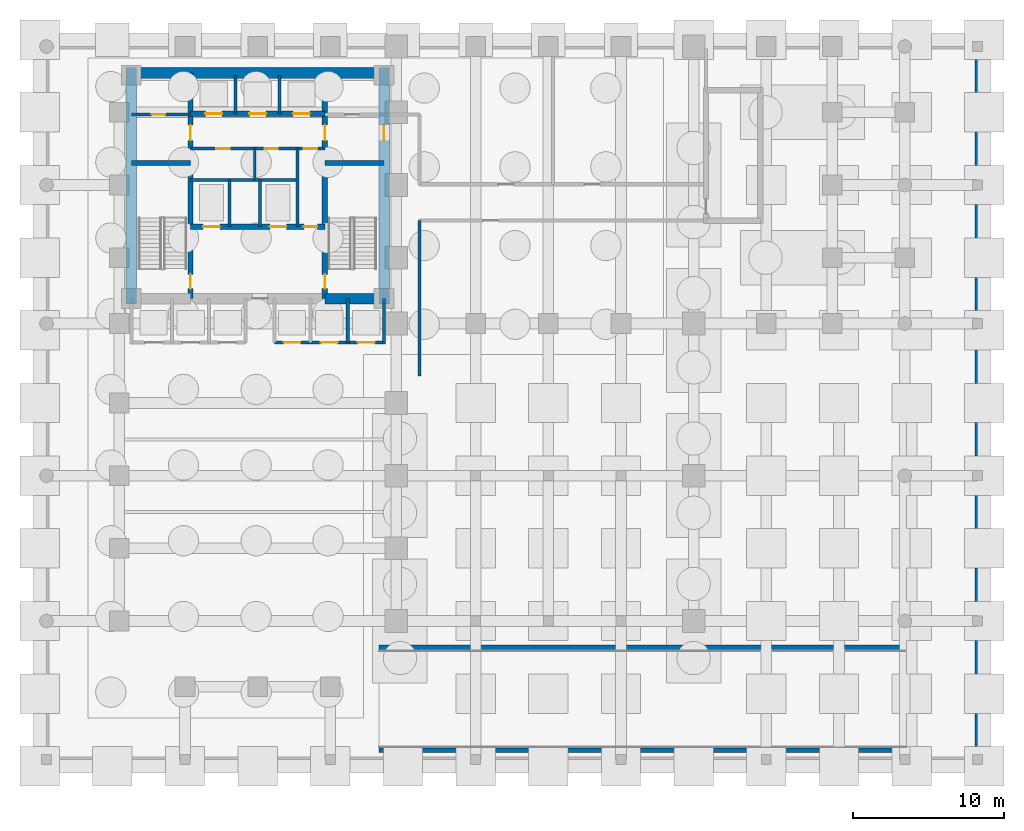
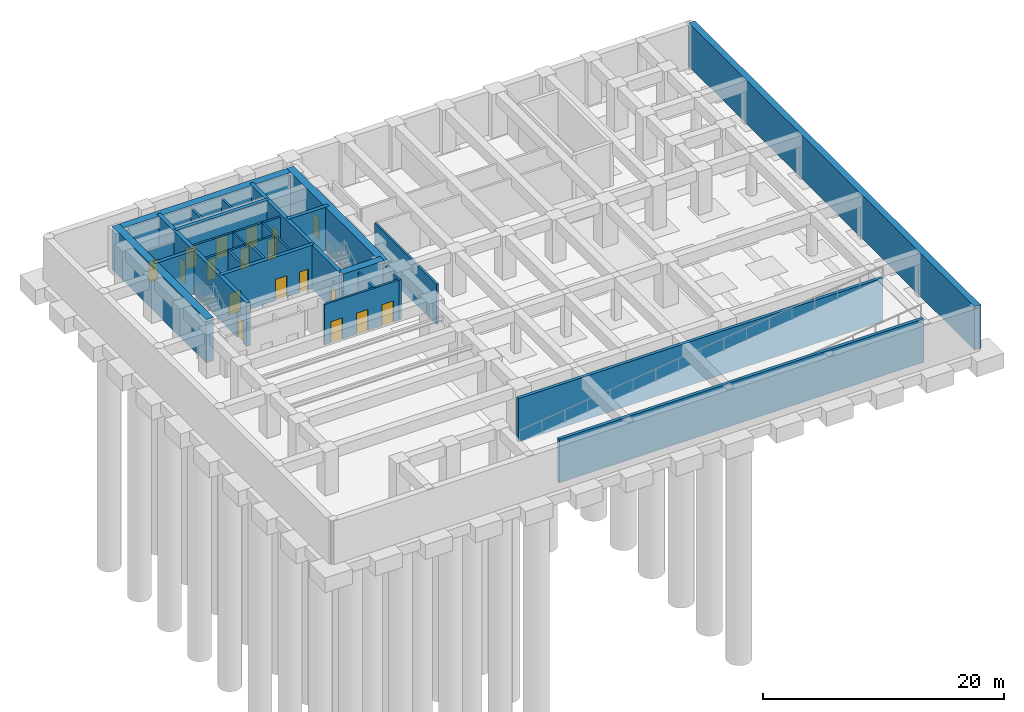
# One storey, part 4 of 8: 26 walls, 18 doors, 18 openings.
"""IFC4 building model written with IfcOpenShell, lengths in metres."""

import ifcopenshell
import ifcopenshell.guid

model = None  # the IFC model being written
_history = None  # IfcOwnerHistory: only IFC2X3 demands one
_inside = {}  # id of a spatial element -> (the spatial element, [elements in it])
_under = {}  # id of a project, library or spatial element -> (it, [spatial elements below it])
_declared = {}  # id of a project -> (the project, [libraries it declares])
_typed = {}  # id of a type object -> (the type object, [elements of that type])
_made_of = {}  # id of a material, layer set ... -> (it, [elements and type objects made of it])


def new_model(schema):
    """Start an empty IFC model of exactly this schema.

    Asked for "IFC4X3", IfcOpenShell would pick the latest addendum, in which some entities
    have other attributes; the version numbers below select the first issue.
    IFC2X3 requires an IfcOwnerHistory on every rooted entity: one is made here for all.
    """
    global model, _history
    if schema == "IFC4X3":
        model = ifcopenshell.file(schema_version=(4, 3, 0, 0))
    else:
        model = ifcopenshell.file(schema=schema)
    _inside.clear()
    _under.clear()
    _declared.clear()
    _typed.clear()
    _made_of.clear()
    _history = None
    if model.schema == "IFC2X3":
        org = make("IfcOrganization", Name="unknown")
        user = make(
            "IfcPersonAndOrganization",
            ThePerson=make("IfcPerson", FamilyName="unknown"),
            TheOrganization=org,
        )
        app = make(
            "IfcApplication",
            ApplicationDeveloper=org,
            Version="unknown",
            ApplicationFullName="unknown",
            ApplicationIdentifier="unknown",
        )
        _history = make(
            "IfcOwnerHistory",
            OwningUser=user,
            OwningApplication=app,
            ChangeAction="ADDED",
            CreationDate=0,
        )
    return model


def make(cls, **values):
    """One entity of the class cls with the attributes given. An attribute that is None is left unset."""
    return model.create_entity(
        cls, **{name: value for name, value in values.items() if value is not None}
    )


def rooted(cls, **values):
    """An entity with a GlobalId (a new one), such as an element, a storey or a relation."""
    return make(cls, GlobalId=ifcopenshell.guid.new(), OwnerHistory=_history, **values)


def si_unit(unit_type, name, prefix=None):
    """IfcSIUnit, for example si_unit("LENGTHUNIT", "METRE", prefix="MILLI")."""
    return make("IfcSIUnit", UnitType=unit_type, Prefix=prefix, Name=name)


def assignment(units):
    """IfcUnitAssignment: the units of a project."""
    return None if units is None else make("IfcUnitAssignment", Units=units)


def point(xyz):
    """IfcCartesianPoint."""
    return None if xyz is None else make("IfcCartesianPoint", Coordinates=xyz)


def direction(xyz):
    """IfcDirection."""
    return None if xyz is None else make("IfcDirection", DirectionRatios=xyz)


def frame(location, z_axis=None, x_axis=None):
    """IfcAxis2Placement3D, a coordinate frame: its origin and axes. An axis left out is left unset."""
    return make(
        "IfcAxis2Placement3D",
        Location=point(location),
        Axis=direction(z_axis),
        RefDirection=direction(x_axis),
    )


def frame_2d(location, x_axis=None):
    """IfcAxis2Placement2D, a coordinate frame in the plane: its origin and x axis."""
    return make(
        "IfcAxis2Placement2D", Location=point(location), RefDirection=direction(x_axis)
    )


def origin():
    """The frame at (0, 0, 0) with its axes left unset."""
    return frame((0.0, 0.0, 0.0))


def place(relative_to, where):
    """IfcLocalPlacement: puts the frame where relative to a parent placement (None: the world)."""
    return make(
        "IfcLocalPlacement", PlacementRelTo=relative_to, RelativePlacement=where
    )


def context(
    kind, dimensions, precision=None, world=None, true_north=None, identifier=None
):
    """IfcGeometricRepresentationContext, for example the 3D "Model" context."""
    return make(
        "IfcGeometricRepresentationContext",
        ContextIdentifier=identifier,
        ContextType=kind,
        CoordinateSpaceDimension=dimensions,
        Precision=precision,
        WorldCoordinateSystem=world,
        TrueNorth=true_north,
    )


def subcontext(parent, identifier, kind, view, scale=None):
    """IfcGeometricRepresentationSubContext, for example "Body" below "Model"."""
    return make(
        "IfcGeometricRepresentationSubContext",
        ContextIdentifier=identifier,
        ContextType=kind,
        ParentContext=parent,
        TargetScale=scale,
        TargetView=view,
    )


def project(units=None, contexts=None):
    """IfcProject with its units and contexts."""
    return rooted(
        "IfcProject",
        Name="project",
        RepresentationContexts=contexts,
        UnitsInContext=assignment(units),
    )


def spatial(cls, under=None, at=None, **own):
    """A site, building, storey or space (cls), placed at a placement, below another one or the project."""
    s = rooted(cls, ObjectPlacement=at, **own)
    if under is not None:
        _under.setdefault(under.id(), (under, []))[1].append(s)
    return s


def profile(cls, at=None, kind="AREA", **sizes):
    """A parametric profile (cls). Its sizes go by their IFC names, for example OverallWidth=200.0."""
    return make(cls, ProfileType=kind, Position=at, **sizes)


def rectangle(**sizes):
    """IfcRectangleProfileDef."""
    return profile("IfcRectangleProfileDef", **sizes)


def extrude(swept, where, along, depth):
    """IfcExtrudedAreaSolid: the profile swept, set in the frame where, extruded along a direction by depth."""
    return make(
        "IfcExtrudedAreaSolid",
        SweptArea=swept,
        Position=where,
        ExtrudedDirection=direction(along),
        Depth=depth,
    )


def shape(context_of_items, identifier, shape_type, items):
    """IfcShapeRepresentation: the items that make up one representation, for example the "Body"."""
    return make(
        "IfcShapeRepresentation",
        ContextOfItems=context_of_items,
        RepresentationIdentifier=identifier,
        RepresentationType=shape_type,
        Items=items,
    )


def material(Name=None, Category=None):
    """IfcMaterial."""
    return make("IfcMaterial", Name=Name, Category=Category)


def layer(
    of_material, thickness, ventilated=None, Name=None, Category=None, Priority=None
):
    """IfcMaterialLayer: one layer of a wall or slab, of a material (None: an air gap)."""
    return make(
        "IfcMaterialLayer",
        Material=of_material,
        LayerThickness=thickness,
        IsVentilated=ventilated,
        Name=Name,
        Category=Category,
        Priority=Priority,
    )


def layer_set(layers, Name=None):
    """IfcMaterialLayerSet."""
    return make("IfcMaterialLayerSet", MaterialLayers=layers, LayerSetName=Name)


def made_of(thing, what):
    """Note that an element or type object is made of a material, layer set ...; save() writes the relation."""
    if what is not None:
        _made_of.setdefault(what.id(), (what, []))[1].append(thing)
    return thing


def type_object(cls, material=None, **own):
    """A type object (cls), such as IfcWallType, which elements share."""
    return made_of(rooted(cls, **own), material)


def element(
    cls,
    number,
    at=None,
    inside=None,
    cuts=None,
    type_object=None,
    material=None,
    context=None,
    identifier="Body",
    shape_type=None,
    held_by="IfcProductDefinitionShape",
    body=None,
    shapes=None,
    **own,
):
    """One element of the class cls, such as IfcWall. Its Tag is "e" and its number.

    at: its placement. inside: the storey or other place that contains it. cuts: it is an
    opening in that element (IfcRelVoidsElement). A single representation is given by context,
    identifier, shape_type and body (its items); several are given by shapes. held_by: the class
    of the entity that holds the representations. save() writes the other relations.
    """
    e = rooted(cls, Tag="e%d" % number, ObjectPlacement=at, **own)
    if body is not None:
        shapes = [shape(context, identifier, shape_type, body)]
    if shapes is not None:
        e.Representation = make(held_by, Representations=shapes)
    if inside is not None:
        _inside.setdefault(inside.id(), (inside, []))[1].append(e)
    if cuts is not None:
        rooted(
            "IfcRelVoidsElement", RelatingBuildingElement=cuts, RelatedOpeningElement=e
        )
    if type_object is not None:
        _typed.setdefault(type_object.id(), (type_object, []))[1].append(e)
    return made_of(e, material)


def fill(opening, filler):
    """IfcRelFillsElement: the door or window that sits in an opening."""
    return rooted(
        "IfcRelFillsElement",
        RelatingOpeningElement=opening,
        RelatedBuildingElement=filler,
    )


def aggregate(whole, parts):
    """IfcRelAggregates: a whole, such as a stair, and the parts it consists of."""
    return rooted("IfcRelAggregates", RelatingObject=whole, RelatedObjects=parts)


def save(model, path):
    """Write the relations noted so far, then the file.

    IfcRelAggregates (storeys below a building ...), IfcRelContainedInSpatialStructure (elements
    in a storey), IfcRelDefinesByType, IfcRelAssociatesMaterial and IfcRelDeclares: one each for
    every whole, place, type object, material and project.
    """
    for whole, parts in _under.values():
        aggregate(whole, parts)
    for where, things in _inside.values():
        rooted(
            "IfcRelContainedInSpatialStructure",
            RelatedElements=things,
            RelatingStructure=where,
        )
    for kind, things in _typed.values():
        rooted("IfcRelDefinesByType", RelatedObjects=things, RelatingType=kind)
    for what, things in _made_of.values():
        rooted("IfcRelAssociatesMaterial", RelatedObjects=things, RelatingMaterial=what)
    for by, libraries in _declared.values():
        rooted("IfcRelDeclares", RelatingContext=by, RelatedDefinitions=libraries)
    model.write(path)


model = new_model("IFC4")

# Units and contexts
model_context = context("Model", 3, precision=1e-05, world=origin(), true_north=direction((0.0, 1.0)))
body_context = subcontext(model_context, "Body", "Model", "MODEL_VIEW")
ifc_project = project(units=[si_unit("LENGTHUNIT", "METRE"), si_unit("AREAUNIT", "SQUARE_METRE"), si_unit("VOLUMEUNIT", "CUBIC_METRE"), si_unit("PLANEANGLEUNIT", "RADIAN"), si_unit("MASSUNIT", "GRAM", prefix="KILO")], contexts=[model_context])

# Site, building, storey
site_placement = place(None, origin())
site = spatial("IfcSite", under=ifc_project, at=site_placement, CompositionType="ELEMENT")
building_placement = place(site_placement, origin())
building = spatial("IfcBuilding", under=site, at=building_placement, Name="Orvandelia Arch Residences", CompositionType="ELEMENT")
storey_placement = place(building_placement, frame((0.0, 0.0, -13.199951171875)))
storey = spatial("IfcBuildingStorey", under=building, at=storey_placement, Name="B3", CompositionType="ELEMENT", Elevation=-13.199951171875)

# Wall, openings, doors
ifc_material_1 = material(Name="Concrete C50/60", Category="concrete")
ifc_layer_1 = layer(ifc_material_1, 0.35009765625, Name="Concrete C50/60", Category="concrete")
ifc_layer_set_1 = layer_set([ifc_layer_1], Name="Concrete C50/60")
wall_type_1 = type_object("IfcWallType", Name="WL-CORE-350", PredefinedType="SHEAR", material=ifc_layer_set_1)
wall_1_placement = place(storey_placement, frame((9.9599609375, 30.89990234375, 0.0), z_axis=(0.0, 0.0, 1.0), x_axis=(0.0, 1.0, 0.0)))
wall_1 = element("IfcWall", 1, at=wall_1_placement, inside=storey, type_object=wall_type_1, Name="Core Shear Wall B3-WEB1", PredefinedType="SHEAR", context=body_context, shape_type="SweptSolid", body=[
    extrude(rectangle(XDim=14.900146484375, YDim=0.35009765625, at=frame_2d((7.4501953125, 0.0))), origin(), (0.0, 0.0, 1.0), 4.39990234375),
])
opening_1_placement = place(wall_1_placement, frame((0.64990234375, 0.0, 0.0)))
opening_1 = element("IfcOpeningElement", 2, at=opening_1_placement, cuts=wall_1, Name="Opening D7", PredefinedType="OPENING", context=body_context, shape_type="SweptSolid", body=[
    extrude(rectangle(XDim=0.949951171875, YDim=2.10009765625, at=frame_2d((0.47509765625, 1.050048828125))), frame((0.0, 0.18505859375, 0.0), z_axis=(0.0, -1.0, 0.0), x_axis=(1.0, 0.0, 0.0)), (0.0, 0.0, 1.0), 0.3701171875),
])
opening_2_placement = place(wall_1_placement, frame((10.449951171875, 0.0, 0.0)))
opening_2 = element("IfcOpeningElement", 3, at=opening_2_placement, cuts=wall_1, Name="Opening D6", PredefinedType="OPENING", context=body_context, shape_type="SweptSolid", body=[
    extrude(rectangle(XDim=1.0, YDim=2.14990234375, at=frame_2d((0.5, 1.074951171875))), frame((0.0, 0.18505859375, 0.0), z_axis=(0.0, -1.0, 0.0), x_axis=(1.0, 0.0, 0.0)), (0.0, 0.0, 1.0), 0.3701171875),
])
ifc_material_2 = material(Name="Smokeproof Painted Steel Fire Door", Category="steel")
door_type_1 = type_object("IfcDoorType", Name="DR-FD60-1000", OperationType="NOTDEFINED", PredefinedType="DOOR", material=ifc_material_2)
door_1_placement = place(opening_2_placement, origin())
door_1 = element("IfcDoor", 4, at=door_1_placement, inside=storey, type_object=door_type_1, Name="High-Rise Lift Hall West Vestibule Door B3", OperationType="SINGLE_SWING_LEFT", OverallHeight=2.14990234375, OverallWidth=1.0, PredefinedType="DOOR", context=body_context, shape_type="SweptSolid", body=[
    extrude(rectangle(XDim=1.0, YDim=2.14990234375, at=frame_2d((0.5, 1.074951171875))), frame((0.0, 0.02490234375, 0.0), z_axis=(0.0, -1.0, 0.0), x_axis=(1.0, 0.0, 0.0)), (0.0, 0.0, 1.0), 0.050048828125),
])
fill(opening_2, door_1)
ifc_material_3 = material(Name="Pressurised Stairwell Fire Door")
door_type_2 = type_object("IfcDoorType", Name="DR-STAIR-950", OperationType="NOTDEFINED", PredefinedType="DOOR", material=ifc_material_3)
door_2_placement = place(opening_1_placement, origin())
door_2 = element("IfcDoor", 5, at=door_2_placement, inside=storey, type_object=door_type_2, Name="Stairwell ST-1 Fire Door B3", OperationType="SINGLE_SWING_LEFT", OverallHeight=2.10009765625, OverallWidth=0.949951171875, PredefinedType="DOOR", context=body_context, shape_type="SweptSolid", body=[
    extrude(rectangle(XDim=0.949951171875, YDim=2.10009765625, at=frame_2d((0.47509765625, 1.050048828125))), frame((0.0, 0.02490234375, 0.0), z_axis=(0.0, -1.0, 0.0), x_axis=(1.0, 0.0, 0.0)), (0.0, 0.0, 1.0), 0.050048828125),
])
fill(opening_1, door_2)

wall_2_placement = place(storey_placement, frame((18.840087890625, 30.89990234375, 0.0), z_axis=(0.0, 0.0, 1.0), x_axis=(0.0, 1.0, 0.0)))
wall_2 = element("IfcWall", 6, at=wall_2_placement, inside=storey, type_object=wall_type_1, Name="Core Shear Wall B3-WEB2", PredefinedType="SHEAR", context=body_context, shape_type="SweptSolid", body=[
    extrude(rectangle(XDim=14.900146484375, YDim=0.35009765625, at=frame_2d((7.4501953125, 0.0))), origin(), (0.0, 0.0, 1.0), 4.39990234375),
])
opening_3_placement = place(wall_2_placement, frame((0.64990234375, 0.0, 0.0)))
opening_3 = element("IfcOpeningElement", 7, at=opening_3_placement, cuts=wall_2, Name="Opening D7", PredefinedType="OPENING", context=body_context, shape_type="SweptSolid", body=[
    extrude(rectangle(XDim=0.949951171875, YDim=2.10009765625, at=frame_2d((0.47509765625, 1.050048828125))), frame((0.0, 0.18505859375, 0.0), z_axis=(0.0, -1.0, 0.0), x_axis=(1.0, 0.0, 0.0)), (0.0, 0.0, 1.0), 0.3701171875),
])
opening_4_placement = place(wall_2_placement, frame((10.449951171875, 0.0, 0.0)))
opening_4 = element("IfcOpeningElement", 8, at=opening_4_placement, cuts=wall_2, Name="Opening D6", PredefinedType="OPENING", context=body_context, shape_type="SweptSolid", body=[
    extrude(rectangle(XDim=1.0, YDim=2.14990234375, at=frame_2d((0.5, 1.074951171875))), frame((0.0, 0.18505859375, 0.0), z_axis=(0.0, -1.0, 0.0), x_axis=(1.0, 0.0, 0.0)), (0.0, 0.0, 1.0), 0.3701171875),
])
door_3_placement = place(opening_4_placement, origin())
door_3 = element("IfcDoor", 9, at=door_3_placement, inside=storey, type_object=door_type_1, Name="High-Rise Lift Hall East Vestibule Door B3", OperationType="SINGLE_SWING_RIGHT", OverallHeight=2.14990234375, OverallWidth=1.0, PredefinedType="DOOR", context=body_context, shape_type="SweptSolid", body=[
    extrude(rectangle(XDim=1.0, YDim=2.14990234375, at=frame_2d((0.5, 1.074951171875))), frame((0.0, 0.02490234375, 0.0), z_axis=(0.0, -1.0, 0.0), x_axis=(1.0, 0.0, 0.0)), (0.0, 0.0, 1.0), 0.050048828125),
])
fill(opening_4, door_3)
door_4_placement = place(opening_3_placement, origin())
door_4 = element("IfcDoor", 10, at=door_4_placement, inside=storey, type_object=door_type_2, Name="Stairwell ST-2 Fire Door B3", OperationType="SINGLE_SWING_RIGHT", OverallHeight=2.10009765625, OverallWidth=0.949951171875, PredefinedType="DOOR", context=body_context, shape_type="SweptSolid", body=[
    extrude(rectangle(XDim=0.949951171875, YDim=2.10009765625, at=frame_2d((0.47509765625, 1.050048828125))), frame((0.0, 0.02490234375, 0.0), z_axis=(0.0, -1.0, 0.0), x_axis=(1.0, 0.0, 0.0)), (0.0, 0.0, 1.0), 0.050048828125),
])
fill(opening_3, door_4)

# Walls
for number, where, z_axis, x_axis, name in (
    (11, (6.050048828125, 39.85009765625, 0.0), (0.0, 0.0, 1.0), (1.0, 0.0, 0.0), "Core Shear Wall B3-HZ1"),
    (12, (18.840087890625, 39.85009765625, 0.0), (0.0, 0.0, 1.0), (1.0, 0.0, 0.0), "Core Shear Wall B3-HZ2"),
):
    element("IfcWall", number, at=place(storey_placement, frame(where, z_axis=z_axis, x_axis=x_axis)), inside=storey, type_object=wall_type_1, Name=name, PredefinedType="SHEAR", context=body_context, shape_type="SweptSolid", body=[
        extrude(rectangle(XDim=3.909912109375, YDim=0.35009765625, at=frame_2d((1.955078125, 0.0))), origin(), (0.0, 0.0, 1.0), 4.39990234375),
    ])

# Wall, openings, doors
wall_3_placement = place(storey_placement, frame((9.9599609375, 35.64990234375, 0.0), z_axis=(0.0, 0.0, 1.0), x_axis=(1.0, 0.0, 0.0)))
wall_3 = element("IfcWall", 13, at=wall_3_placement, inside=storey, type_object=wall_type_1, Name="Core Shear Wall B3-HZ3", PredefinedType="SHEAR", context=body_context, shape_type="SweptSolid", body=[
    extrude(rectangle(XDim=8.880126953125, YDim=0.35009765625, at=frame_2d((4.43994140625, 0.0))), origin(), (0.0, 0.0, 1.0), 4.39990234375),
])
opening_5_placement = place(wall_3_placement, frame((0.840087890625, 0.0, 0.0)))
opening_5 = element("IfcOpeningElement", 14, at=opening_5_placement, cuts=wall_3, Name="Opening FLD", PredefinedType="OPENING", context=body_context, shape_type="SweptSolid", body=[
    extrude(rectangle(XDim=1.10009765625, YDim=2.14990234375, at=frame_2d((0.550048828125, 1.074951171875))), frame((0.0, 0.18505859375, 0.0), z_axis=(0.0, -1.0, 0.0), x_axis=(1.0, 0.0, 0.0)), (0.0, 0.0, 1.0), 0.3701171875),
])
opening_6_placement = place(wall_3_placement, frame((5.239990234375, 0.0, 0.0)))
opening_6 = element("IfcOpeningElement", 15, at=opening_6_placement, cuts=wall_3, Name="Opening FLD", PredefinedType="OPENING", context=body_context, shape_type="SweptSolid", body=[
    extrude(rectangle(XDim=1.10009765625, YDim=2.14990234375, at=frame_2d((0.550048828125, 1.074951171875))), frame((0.0, 0.18505859375, 0.0), z_axis=(0.0, -1.0, 0.0), x_axis=(1.0, 0.0, 0.0)), (0.0, 0.0, 1.0), 0.3701171875),
])
opening_7_placement = place(wall_3_placement, frame((7.5, 0.0, 0.0)))
opening_7 = element("IfcOpeningElement", 16, at=opening_7_placement, cuts=wall_3, Name="Opening D5", PredefinedType="OPENING", context=body_context, shape_type="SweptSolid", body=[
    extrude(rectangle(XDim=0.8798828125, YDim=2.10009765625, at=frame_2d((0.43994140625, 1.050048828125))), frame((0.0, 0.18505859375, 0.0), z_axis=(0.0, -1.0, 0.0), x_axis=(1.0, 0.0, 0.0)), (0.0, 0.0, 1.0), 0.3701171875),
])
ifc_material_4 = material(Name="Firefighting Lift Stainless Sliding Door")
door_type_3 = type_object("IfcDoorType", Name="DR-FLFT-1100", OperationType="NOTDEFINED", PredefinedType="DOOR", material=ifc_material_4)
door_5_placement = place(opening_5_placement, origin())
door_5 = element("IfcDoor", 17, at=door_5_placement, inside=storey, type_object=door_type_3, Name="Firefighting Lift Landing Door FLD-FL1-B3", OperationType="SLIDING_TO_LEFT", OverallHeight=2.14990234375, OverallWidth=1.10009765625, PredefinedType="DOOR", context=body_context, shape_type="SweptSolid", body=[
    extrude(rectangle(XDim=1.10009765625, YDim=2.14990234375, at=frame_2d((0.550048828125, 1.074951171875))), frame((0.0, 0.02490234375, 0.0), z_axis=(0.0, -1.0, 0.0), x_axis=(1.0, 0.0, 0.0)), (0.0, 0.0, 1.0), 0.050048828125),
])
fill(opening_5, door_5)
door_6_placement = place(opening_6_placement, origin())
door_6 = element("IfcDoor", 18, at=door_6_placement, inside=storey, type_object=door_type_3, Name="Firefighting Lift Landing Door FLD-FL2-B3", OperationType="SLIDING_TO_RIGHT", OverallHeight=2.14990234375, OverallWidth=1.10009765625, PredefinedType="DOOR", context=body_context, shape_type="SweptSolid", body=[
    extrude(rectangle(XDim=1.10009765625, YDim=2.14990234375, at=frame_2d((0.550048828125, 1.074951171875))), frame((0.0, 0.02490234375, 0.0), z_axis=(0.0, -1.0, 0.0), x_axis=(1.0, 0.0, 0.0)), (0.0, 0.0, 1.0), 0.050048828125),
])
fill(opening_6, door_6)
ifc_material_5 = material(Name="Painted Galvanised Steel Service Door", Category="steel")
door_type_4 = type_object("IfcDoorType", Name="DR-SRV-880", OperationType="NOTDEFINED", PredefinedType="DOOR", material=ifc_material_5)
door_7_placement = place(opening_7_placement, origin())
door_7 = element("IfcDoor", 19, at=door_7_placement, inside=storey, type_object=door_type_4, Name="Core Stairway Passage South Fire Door B3", OperationType="SINGLE_SWING_LEFT", OverallHeight=2.10009765625, OverallWidth=0.8798828125, PredefinedType="DOOR", context=body_context, shape_type="SweptSolid", body=[
    extrude(rectangle(XDim=0.8798828125, YDim=2.10009765625, at=frame_2d((0.43994140625, 1.050048828125))), frame((0.0, 0.02490234375, 0.0), z_axis=(0.0, -1.0, 0.0), x_axis=(1.0, 0.0, 0.0)), (0.0, 0.0, 1.0), 0.050048828125),
])
fill(opening_7, door_7)

wall_4_placement = place(storey_placement, frame((9.9599609375, 43.10009765625, 0.0), z_axis=(0.0, 0.0, 1.0), x_axis=(1.0, 0.0, 0.0)))
wall_4 = element("IfcWall", 20, at=wall_4_placement, inside=storey, type_object=wall_type_1, Name="Core Shear Wall B3-HZ4", PredefinedType="SHEAR", context=body_context, shape_type="SweptSolid", body=[
    extrude(rectangle(XDim=8.880126953125, YDim=0.35009765625, at=frame_2d((4.43994140625, 0.0))), origin(), (0.0, 0.0, 1.0), 4.39990234375),
])
opening_8_placement = place(wall_4_placement, frame((0.989990234375, 0.0, 0.0)))
opening_8 = element("IfcOpeningElement", 21, at=opening_8_placement, cuts=wall_4, Name="Opening LD", PredefinedType="OPENING", context=body_context, shape_type="SweptSolid", body=[
    extrude(rectangle(XDim=1.10009765625, YDim=2.14990234375, at=frame_2d((0.550048828125, 1.074951171875))), frame((0.0, 0.18505859375, 0.0), z_axis=(0.0, -1.0, 0.0), x_axis=(1.0, 0.0, 0.0)), (0.0, 0.0, 1.0), 0.3701171875),
])
opening_9_placement = place(wall_4_placement, frame((3.889892578125, 0.0, 0.0)))
opening_9 = element("IfcOpeningElement", 22, at=opening_9_placement, cuts=wall_4, Name="Opening LD", PredefinedType="OPENING", context=body_context, shape_type="SweptSolid", body=[
    extrude(rectangle(XDim=1.10009765625, YDim=2.14990234375, at=frame_2d((0.550048828125, 1.074951171875))), frame((0.0, 0.18505859375, 0.0), z_axis=(0.0, -1.0, 0.0), x_axis=(1.0, 0.0, 0.0)), (0.0, 0.0, 1.0), 0.3701171875),
])
opening_10_placement = place(wall_4_placement, frame((6.7900390625, 0.0, 0.0)))
opening_10 = element("IfcOpeningElement", 23, at=opening_10_placement, cuts=wall_4, Name="Opening LD", PredefinedType="OPENING", context=body_context, shape_type="SweptSolid", body=[
    extrude(rectangle(XDim=1.10009765625, YDim=2.14990234375, at=frame_2d((0.550048828125, 1.074951171875))), frame((0.0, 0.18505859375, 0.0), z_axis=(0.0, -1.0, 0.0), x_axis=(1.0, 0.0, 0.0)), (0.0, 0.0, 1.0), 0.3701171875),
])
ifc_material_6 = material(Name="Brushed Stainless Steel Sliding Lift Door", Category="steel")
door_type_5 = type_object("IfcDoorType", Name="DR-LIFT-1100", OperationType="NOTDEFINED", PredefinedType="DOOR", material=ifc_material_6)
door_8_placement = place(opening_8_placement, origin())
door_8 = element("IfcDoor", 24, at=door_8_placement, inside=storey, type_object=door_type_5, Name="Lift Landing Door LD-PH1-B3", OperationType="SLIDING_TO_LEFT", OverallHeight=2.14990234375, OverallWidth=1.10009765625, PredefinedType="DOOR", context=body_context, shape_type="SweptSolid", body=[
    extrude(rectangle(XDim=1.10009765625, YDim=2.14990234375, at=frame_2d((0.550048828125, 1.074951171875))), frame((0.0, 0.02490234375, 0.0), z_axis=(0.0, -1.0, 0.0), x_axis=(1.0, 0.0, 0.0)), (0.0, 0.0, 1.0), 0.050048828125),
])
fill(opening_8, door_8)
door_9_placement = place(opening_9_placement, origin())
door_9 = element("IfcDoor", 25, at=door_9_placement, inside=storey, type_object=door_type_5, Name="Lift Landing Door LD-PH2-B3", OperationType="SLIDING_TO_RIGHT", OverallHeight=2.14990234375, OverallWidth=1.10009765625, PredefinedType="DOOR", context=body_context, shape_type="SweptSolid", body=[
    extrude(rectangle(XDim=1.10009765625, YDim=2.14990234375, at=frame_2d((0.550048828125, 1.074951171875))), frame((0.0, 0.02490234375, 0.0), z_axis=(0.0, -1.0, 0.0), x_axis=(1.0, 0.0, 0.0)), (0.0, 0.0, 1.0), 0.050048828125),
])
fill(opening_9, door_9)
door_10_placement = place(opening_10_placement, origin())
door_10 = element("IfcDoor", 26, at=door_10_placement, inside=storey, type_object=door_type_5, Name="Lift Landing Door LD-PH3-B3", OperationType="SLIDING_TO_LEFT", OverallHeight=2.14990234375, OverallWidth=1.10009765625, PredefinedType="DOOR", context=body_context, shape_type="SweptSolid", body=[
    extrude(rectangle(XDim=1.10009765625, YDim=2.14990234375, at=frame_2d((0.550048828125, 1.074951171875))), frame((0.0, 0.02490234375, 0.0), z_axis=(0.0, -1.0, 0.0), x_axis=(1.0, 0.0, 0.0)), (0.0, 0.0, 1.0), 0.050048828125),
])
fill(opening_10, door_10)

# Wall
ifc_material_7 = material(Name="Concrete C80/95", Category="concrete")
ifc_layer_2 = layer(ifc_material_7, 0.699951171875, Name="Concrete C80/95", Category="concrete")
ifc_layer_set_2 = layer_set([ifc_layer_2], Name="Concrete C80/95")
wall_type_2 = type_object("IfcWallType", Name="WL-CORE-700", PredefinedType="SHEAR", material=ifc_layer_set_2)
wall_5_placement = place(storey_placement, frame((6.050048828125, 30.550048828125, 0.0), z_axis=(0.0, 0.0, 1.0), x_axis=(0.0, 1.0, 0.0)))
element("IfcWall", 27, at=wall_5_placement, inside=storey, type_object=wall_type_2, Name="Core Shear Wall B3-W", PredefinedType="SHEAR", context=body_context, shape_type="SweptSolid", body=[
    extrude(rectangle(XDim=15.599853515625, YDim=0.699951171875, at=frame_2d((7.7998046875, 0.0))), origin(), (0.0, 0.0, 1.0), 4.39990234375),
])

# Wall, opening, door
wall_6_placement = place(storey_placement, frame((22.75, 30.550048828125, 0.0), z_axis=(0.0, 0.0, 1.0), x_axis=(0.0, 1.0, 0.0)))
wall_6 = element("IfcWall", 28, at=wall_6_placement, inside=storey, type_object=wall_type_2, Name="Core Shear Wall B3-E", PredefinedType="SHEAR", context=body_context, shape_type="SweptSolid", body=[
    extrude(rectangle(XDim=15.599853515625, YDim=0.699951171875, at=frame_2d((7.7998046875, 0.0))), origin(), (0.0, 0.0, 1.0), 4.39990234375),
])
opening_11_placement = place(wall_6_placement, frame((10.800048828125, 0.0, 0.0)))
opening_11 = element("IfcOpeningElement", 29, at=opening_11_placement, cuts=wall_6, Name="Opening D6", PredefinedType="OPENING", context=body_context, shape_type="SweptSolid", body=[
    extrude(rectangle(XDim=1.0, YDim=2.14990234375, at=frame_2d((0.5, 1.074951171875))), frame((0.0, 0.35986328125, 0.0), z_axis=(0.0, -1.0, 0.0), x_axis=(1.0, 0.0, 0.0)), (0.0, 0.0, 1.0), 0.719970703125),
])
door_11_placement = place(opening_11_placement, origin())
door_11 = element("IfcDoor", 30, at=door_11_placement, inside=storey, type_object=door_type_1, Name="Core East Corridor Link Door B3", OperationType="SINGLE_SWING_LEFT", OverallHeight=2.14990234375, OverallWidth=1.0, PredefinedType="DOOR", context=body_context, shape_type="SweptSolid", body=[
    extrude(rectangle(XDim=1.0, YDim=2.14990234375, at=frame_2d((0.5, 1.074951171875))), frame((0.0, 0.02490234375, 0.0), z_axis=(0.0, -1.0, 0.0), x_axis=(1.0, 0.0, 0.0)), (0.0, 0.0, 1.0), 0.050048828125),
])
fill(opening_11, door_11)

# Walls
wall_7_placement = place(storey_placement, frame((6.050048828125, 45.800048828125, 0.0), z_axis=(0.0, 0.0, 1.0), x_axis=(1.0, 0.0, 0.0)))
element("IfcWall", 31, at=wall_7_placement, inside=storey, type_object=wall_type_2, Name="Core Shear Wall B3-N", PredefinedType="SHEAR", context=body_context, shape_type="SweptSolid", body=[
    extrude(rectangle(XDim=16.699951171875, YDim=0.699951171875, at=frame_2d((8.35009765625, 0.0))), origin(), (0.0, 0.0, 1.0), 4.39990234375),
])
wall_8_placement = place(storey_placement, frame((18.840087890625, 30.89990234375, 0.0), z_axis=(0.0, 0.0, 1.0), x_axis=(1.0, 0.0, 0.0)))
element("IfcWall", 32, at=wall_8_placement, inside=storey, type_object=wall_type_2, Name="Core Shear Wall B3-SE", PredefinedType="SHEAR", context=body_context, shape_type="SweptSolid", body=[
    extrude(rectangle(XDim=3.909912109375, YDim=0.699951171875, at=frame_2d((1.955078125, 0.0))), origin(), (0.0, 0.0, 1.0), 4.39990234375),
])
ifc_material_8 = material(Name="Fire-Rated Corridor Partition")
ifc_layer_3 = layer(ifc_material_8, 0.199951171875, Name="Fire-Rated Corridor Partition")
ifc_layer_set_3 = layer_set([ifc_layer_3], Name="Fire-Rated Corridor Partition")
wall_type_3 = type_object("IfcWallType", Name="WL-CORR-200", PredefinedType="PARTITIONING", material=ifc_layer_set_3)
wall_9_placement = place(storey_placement, frame((25.10009765625, 25.800048828125, 0.0), z_axis=(0.0, 0.0, 1.0), x_axis=(0.0, 1.0, 0.0)))
element("IfcWall", 33, at=wall_9_placement, inside=storey, type_object=wall_type_3, Name="Interior Partition Wall WL-B3-BC-E1", PredefinedType="PARTITIONING", context=body_context, shape_type="SweptSolid", body=[
    extrude(rectangle(XDim=10.25, YDim=0.199951171875, at=frame_2d((5.125, 0.0))), origin(), (0.0, 0.0, 1.0), 4.079833984375),
])
ifc_material_9 = material(Name="Acoustic Gypsum Stud Partition")
ifc_layer_4 = layer(ifc_material_9, 0.14990234375, Name="Acoustic Gypsum Stud Partition")
ifc_layer_set_4 = layer_set([ifc_layer_4], Name="Acoustic Gypsum Stud Partition")
wall_type_4 = type_object("IfcWallType", Name="WL-PART-150", PredefinedType="PARTITIONING", material=ifc_layer_set_4)
wall_10_placement = place(storey_placement, frame((14.199951171875, 38.719970703125, 0.0), z_axis=(0.0, 0.0, 1.0), x_axis=(0.0, 1.0, 0.0)))
element("IfcWall", 34, at=wall_10_placement, inside=storey, type_object=wall_type_4, Name="Interior Partition Wall WL-B3-CSA-1", PredefinedType="PARTITIONING", context=body_context, shape_type="SweptSolid", body=[
    extrude(rectangle(XDim=2.080078125, YDim=0.14990234375, at=frame_2d((1.0400390625, 0.0))), origin(), (0.0, 0.0, 1.0), 4.079833984375),
])
ifc_material_10 = material(Name="Concrete C40/50", Category="concrete")
ifc_layer_5 = layer(ifc_material_10, 0.300048828125, Name="Concrete C40/50", Category="concrete")
ifc_layer_set_5 = layer_set([ifc_layer_5], Name="Concrete C40/50")
wall_type_5 = type_object("IfcWallType", Name="WL-RAMP-300", PredefinedType="SOLIDWALL", material=ifc_layer_set_5)
for number, where, z_axis, x_axis, name in (
    (35, (22.39990234375, 7.85009765625, 0.0), (0.0, 0.0, 1.0), (1.0, 0.0, 0.0), "Vehicle Ramp Bearing Wall B3-N"),
    (36, (22.39990234375, 1.050048828125, 0.0), (0.0, 0.0, 1.0), (1.0, 0.0, 0.0), "Vehicle Ramp Bearing Wall B3-S"),
):
    element("IfcWall", number, at=place(storey_placement, frame(where, z_axis=z_axis, x_axis=x_axis)), inside=storey, type_object=wall_type_5, Name=name, PredefinedType="SOLIDWALL", context=body_context, shape_type="SweptSolid", body=[
        extrude(rectangle(XDim=34.900146484375, YDim=0.300048828125, at=frame_2d((17.4501953125, 0.0))), origin(), (0.0, 0.0, 1.0), 4.39990234375),
    ])
ifc_layer_6 = layer(ifc_material_1, 0.60009765625, Name="Concrete C50/60", Category="concrete")
ifc_layer_set_6 = layer_set([ifc_layer_6], Name="Concrete C50/60")
wall_type_6 = type_object("IfcWallType", Name="WL-RET-600", PredefinedType="USERDEFINED", material=ifc_layer_set_6)
wall_11_placement = place(storey_placement, frame((62.10009765625, 0.300048828125, 0.0), z_axis=(0.0, 0.0, 1.0), x_axis=(0.0, 1.0, 0.0)))
element("IfcWall", 37, at=wall_11_placement, inside=storey, type_object=wall_type_6, Name="Basement Diaphragm Retaining Wall B3-E", ObjectType="RETAININGWALL", PredefinedType="USERDEFINED", context=body_context, shape_type="SweptSolid", body=[
    extrude(rectangle(XDim=47.39990234375, YDim=0.60009765625, at=frame_2d((23.699951171875, 0.0))), origin(), (0.0, 0.0, 1.0), 4.39990234375),
])
ifc_material_11 = material(Name="Fire-Rated Shaft Enclosure Wall")
ifc_layer_7 = layer(ifc_material_11, 0.199951171875, Name="Fire-Rated Shaft Enclosure Wall")
ifc_layer_set_7 = layer_set([ifc_layer_7], Name="Fire-Rated Shaft Enclosure Wall")
wall_type_7 = type_object("IfcWallType", Name="WL-SHAFT-200", PredefinedType="POLYGONAL", material=ifc_layer_set_7)
wall_12_placement = place(storey_placement, frame((9.9599609375, 38.719970703125, 0.0), z_axis=(0.0, 0.0, 1.0), x_axis=(1.0, 0.0, 0.0)))
element("IfcWall", 38, at=wall_12_placement, inside=storey, type_object=wall_type_7, Name="Interior Partition Wall WL-B3-FLN", PredefinedType="POLYGONAL", context=body_context, shape_type="SweptSolid", body=[
    extrude(rectangle(XDim=7.06005859375, YDim=0.199951171875, at=frame_2d((3.530029296875, 0.0))), origin(), (0.0, 0.0, 1.0), 4.079833984375),
])
for number, where, z_axis, x_axis, name in (
    (39, (12.550048828125, 35.64990234375, 0.0), (0.0, 0.0, 1.0), (0.0, 1.0, 0.0), "Interior Partition Wall WL-B3-FLM1"),
    (40, (14.550048828125, 35.64990234375, 0.0), (0.0, 0.0, 1.0), (0.0, 1.0, 0.0), "Interior Partition Wall WL-B3-FLM2"),
):
    element("IfcWall", number, at=place(storey_placement, frame(where, z_axis=z_axis, x_axis=x_axis)), inside=storey, type_object=wall_type_7, Name=name, PredefinedType="POLYGONAL", context=body_context, shape_type="SweptSolid", body=[
        extrude(rectangle(XDim=3.070068359375, YDim=0.199951171875, at=frame_2d((1.53515625, 0.0))), origin(), (0.0, 0.0, 1.0), 4.079833984375),
    ])
wall_13_placement = place(storey_placement, frame((17.02001953125, 35.64990234375, 0.0), z_axis=(0.0, 0.0, 1.0), x_axis=(0.0, 1.0, 0.0)))
element("IfcWall", 41, at=wall_13_placement, inside=storey, type_object=wall_type_7, Name="Interior Partition Wall WL-B3-FLM3", PredefinedType="POLYGONAL", context=body_context, shape_type="SweptSolid", body=[
    extrude(rectangle(XDim=5.150146484375, YDim=0.199951171875, at=frame_2d((2.5751953125, 0.0))), origin(), (0.0, 0.0, 1.0), 4.079833984375),
])

# Wall, openings, doors
wall_14_placement = place(storey_placement, frame((9.9599609375, 40.800048828125, 0.0), z_axis=(0.0, 0.0, 1.0), x_axis=(1.0, 0.0, 0.0)))
wall_14 = element("IfcWall", 42, at=wall_14_placement, inside=storey, type_object=wall_type_7, Name="Interior Partition Wall WL-B3-HLH-S", PredefinedType="POLYGONAL", context=body_context, shape_type="SweptSolid", body=[
    extrude(rectangle(XDim=8.880126953125, YDim=0.199951171875, at=frame_2d((4.43994140625, 0.0))), origin(), (0.0, 0.0, 1.0), 4.079833984375),
])
opening_12_placement = place(wall_14_placement, frame((7.5, 0.0, 0.0)))
opening_12 = element("IfcOpeningElement", 43, at=opening_12_placement, cuts=wall_14, Name="Opening D5", PredefinedType="OPENING", context=body_context, shape_type="SweptSolid", body=[
    extrude(rectangle(XDim=0.8798828125, YDim=2.10009765625, at=frame_2d((0.43994140625, 1.050048828125))), frame((0.0, 0.10986328125, 0.0), z_axis=(0.0, -1.0, 0.0), x_axis=(1.0, 0.0, 0.0)), (0.0, 0.0, 1.0), 0.219970703125),
])
opening_13_placement = place(wall_14_placement, frame((1.699951171875, 0.0, 0.0)))
opening_13 = element("IfcOpeningElement", 44, at=opening_13_placement, cuts=wall_14, Name="Opening D5", PredefinedType="OPENING", context=body_context, shape_type="SweptSolid", body=[
    extrude(rectangle(XDim=0.8798828125, YDim=2.10009765625, at=frame_2d((0.43994140625, 1.050048828125))), frame((0.0, 0.10986328125, 0.0), z_axis=(0.0, -1.0, 0.0), x_axis=(1.0, 0.0, 0.0)), (0.0, 0.0, 1.0), 0.219970703125),
])
opening_14_placement = place(wall_14_placement, frame((4.89990234375, 0.0, 0.0)))
opening_14 = element("IfcOpeningElement", 45, at=opening_14_placement, cuts=wall_14, Name="Opening D5", PredefinedType="OPENING", context=body_context, shape_type="SweptSolid", body=[
    extrude(rectangle(XDim=0.8798828125, YDim=2.10009765625, at=frame_2d((0.43994140625, 1.050048828125))), frame((0.0, 0.10986328125, 0.0), z_axis=(0.0, -1.0, 0.0), x_axis=(1.0, 0.0, 0.0)), (0.0, 0.0, 1.0), 0.219970703125),
])
door_12_placement = place(opening_12_placement, origin())
door_12 = element("IfcDoor", 46, at=door_12_placement, inside=storey, type_object=door_type_4, Name="Core Stairway Passage North Fire Door B3", OperationType="SINGLE_SWING_RIGHT", OverallHeight=2.10009765625, OverallWidth=0.8798828125, PredefinedType="DOOR", context=body_context, shape_type="SweptSolid", body=[
    extrude(rectangle(XDim=0.8798828125, YDim=2.10009765625, at=frame_2d((0.43994140625, 1.050048828125))), frame((0.0, 0.02490234375, 0.0), z_axis=(0.0, -1.0, 0.0), x_axis=(1.0, 0.0, 0.0)), (0.0, 0.0, 1.0), 0.050048828125),
])
fill(opening_12, door_12)
door_13_placement = place(opening_13_placement, origin())
door_13 = element("IfcDoor", 47, at=door_13_placement, inside=storey, type_object=door_type_4, Name="DR-B3-CSA1", OperationType="SINGLE_SWING_LEFT", OverallHeight=2.10009765625, OverallWidth=0.8798828125, PredefinedType="DOOR", context=body_context, shape_type="SweptSolid", body=[
    extrude(rectangle(XDim=0.8798828125, YDim=2.10009765625, at=frame_2d((0.43994140625, 1.050048828125))), frame((0.0, 0.02490234375, 0.0), z_axis=(0.0, -1.0, 0.0), x_axis=(1.0, 0.0, 0.0)), (0.0, 0.0, 1.0), 0.050048828125),
])
fill(opening_13, door_13)
door_14_placement = place(opening_14_placement, origin())
door_14 = element("IfcDoor", 48, at=door_14_placement, inside=storey, type_object=door_type_4, Name="DR-B3-CSA2", OperationType="SINGLE_SWING_RIGHT", OverallHeight=2.10009765625, OverallWidth=0.8798828125, PredefinedType="DOOR", context=body_context, shape_type="SweptSolid", body=[
    extrude(rectangle(XDim=0.8798828125, YDim=2.10009765625, at=frame_2d((0.43994140625, 1.050048828125))), frame((0.0, 0.02490234375, 0.0), z_axis=(0.0, -1.0, 0.0), x_axis=(1.0, 0.0, 0.0)), (0.0, 0.0, 1.0), 0.050048828125),
])
fill(opening_14, door_14)

# Wall, opening, door
wall_15_placement = place(storey_placement, frame((6.050048828125, 43.050048828125, 0.0), z_axis=(0.0, 0.0, 1.0), x_axis=(1.0, 0.0, 0.0)))
wall_15 = element("IfcWall", 49, at=wall_15_placement, inside=storey, type_object=wall_type_7, Name="Interior Partition Wall WL-B3-HLW-N", PredefinedType="POLYGONAL", context=body_context, shape_type="SweptSolid", body=[
    extrude(rectangle(XDim=3.909912109375, YDim=0.199951171875, at=frame_2d((1.955078125, 0.0))), origin(), (0.0, 0.0, 1.0), 3.280029296875),
])
opening_15_placement = place(wall_15_placement, frame((1.35009765625, 0.0, 0.0)))
opening_15 = element("IfcOpeningElement", 50, at=opening_15_placement, cuts=wall_15, Name="Opening D5", PredefinedType="OPENING", context=body_context, shape_type="SweptSolid", body=[
    extrude(rectangle(XDim=0.8798828125, YDim=2.10009765625, at=frame_2d((0.43994140625, 1.050048828125))), frame((0.0, 0.10986328125, 0.0), z_axis=(0.0, -1.0, 0.0), x_axis=(1.0, 0.0, 0.0)), (0.0, 0.0, 1.0), 0.219970703125),
])
door_15_placement = place(opening_15_placement, origin())
door_15 = element("IfcDoor", 51, at=door_15_placement, inside=storey, type_object=door_type_4, Name="Riser Service Door B3", OperationType="SINGLE_SWING_RIGHT", OverallHeight=2.10009765625, OverallWidth=0.8798828125, PredefinedType="DOOR", context=body_context, shape_type="SweptSolid", body=[
    extrude(rectangle(XDim=0.8798828125, YDim=2.10009765625, at=frame_2d((0.43994140625, 1.050048828125))), frame((0.0, 0.02490234375, 0.0), z_axis=(0.0, -1.0, 0.0), x_axis=(1.0, 0.0, 0.0)), (0.0, 0.0, 1.0), 0.050048828125),
])
fill(opening_15, door_15)

# Walls
for number, where, z_axis, x_axis, name in (
    (52, (12.949951171875, 43.10009765625, 0.0), (0.0, 0.0, 1.0), (0.0, 1.0, 0.0), "Interior Partition Wall WL-B3-PHD1"),
    (53, (15.85009765625, 43.10009765625, 0.0), (0.0, 0.0, 1.0), (0.0, 1.0, 0.0), "Interior Partition Wall WL-B3-PHD2"),
):
    element("IfcWall", number, at=place(storey_placement, frame(where, z_axis=z_axis, x_axis=x_axis)), inside=storey, type_object=wall_type_7, Name=name, PredefinedType="POLYGONAL", context=body_context, shape_type="SweptSolid", body=[
        extrude(rectangle(XDim=2.5498046875, YDim=0.199951171875, at=frame_2d((1.27490234375, 0.0))), origin(), (0.0, 0.0, 1.0), 4.079833984375),
    ])

# Wall, openings, doors
wall_16_placement = place(storey_placement, frame((15.5, 28.0, 0.0), z_axis=(0.0, 0.0, 1.0), x_axis=(1.0, 0.0, 0.0)))
wall_16 = element("IfcWall", 54, at=wall_16_placement, inside=storey, type_object=wall_type_7, Name="Interior Partition Wall WL-B3-BNKM-S", PredefinedType="POLYGONAL", context=body_context, shape_type="SweptSolid", body=[
    extrude(rectangle(XDim=7.25, YDim=0.199951171875, at=frame_2d((3.625, 0.0))), origin(), (0.0, 0.0, 1.0), 4.079833984375),
])
opening_16_placement = place(wall_16_placement, frame((0.625, 0.0, 0.0)))
opening_16 = element("IfcOpeningElement", 55, at=opening_16_placement, cuts=wall_16, Name="Opening LD", PredefinedType="OPENING", context=body_context, shape_type="SweptSolid", body=[
    extrude(rectangle(XDim=1.10009765625, YDim=2.14990234375, at=frame_2d((0.550048828125, 1.074951171875))), frame((0.0, 0.10986328125, 0.0), z_axis=(0.0, -1.0, 0.0), x_axis=(1.0, 0.0, 0.0)), (0.0, 0.0, 1.0), 0.219970703125),
])
opening_17_placement = place(wall_16_placement, frame((3.074951171875, 0.0, 0.0)))
opening_17 = element("IfcOpeningElement", 56, at=opening_17_placement, cuts=wall_16, Name="Opening LD", PredefinedType="OPENING", context=body_context, shape_type="SweptSolid", body=[
    extrude(rectangle(XDim=1.10009765625, YDim=2.14990234375, at=frame_2d((0.550048828125, 1.074951171875))), frame((0.0, 0.10986328125, 0.0), z_axis=(0.0, -1.0, 0.0), x_axis=(1.0, 0.0, 0.0)), (0.0, 0.0, 1.0), 0.219970703125),
])
opening_18_placement = place(wall_16_placement, frame((5.52490234375, 0.0, 0.0)))
opening_18 = element("IfcOpeningElement", 57, at=opening_18_placement, cuts=wall_16, Name="Opening LD", PredefinedType="OPENING", context=body_context, shape_type="SweptSolid", body=[
    extrude(rectangle(XDim=1.10009765625, YDim=2.14990234375, at=frame_2d((0.550048828125, 1.074951171875))), frame((0.0, 0.10986328125, 0.0), z_axis=(0.0, -1.0, 0.0), x_axis=(1.0, 0.0, 0.0)), (0.0, 0.0, 1.0), 0.219970703125),
])
door_16_placement = place(opening_16_placement, origin())
door_16 = element("IfcDoor", 58, at=door_16_placement, inside=storey, type_object=door_type_5, Name="Lift Landing Door LD-PM1", OperationType="SLIDING_TO_RIGHT", OverallHeight=2.14990234375, OverallWidth=1.10009765625, PredefinedType="DOOR", context=body_context, shape_type="SweptSolid", body=[
    extrude(rectangle(XDim=1.10009765625, YDim=2.14990234375, at=frame_2d((0.550048828125, 1.074951171875))), frame((0.0, 0.02490234375, 0.0), z_axis=(0.0, -1.0, 0.0), x_axis=(1.0, 0.0, 0.0)), (0.0, 0.0, 1.0), 0.050048828125),
])
fill(opening_16, door_16)
door_17_placement = place(opening_17_placement, origin())
door_17 = element("IfcDoor", 59, at=door_17_placement, inside=storey, type_object=door_type_5, Name="Lift Landing Door LD-PM2", OperationType="SLIDING_TO_LEFT", OverallHeight=2.14990234375, OverallWidth=1.10009765625, PredefinedType="DOOR", context=body_context, shape_type="SweptSolid", body=[
    extrude(rectangle(XDim=1.10009765625, YDim=2.14990234375, at=frame_2d((0.550048828125, 1.074951171875))), frame((0.0, 0.02490234375, 0.0), z_axis=(0.0, -1.0, 0.0), x_axis=(1.0, 0.0, 0.0)), (0.0, 0.0, 1.0), 0.050048828125),
])
fill(opening_17, door_17)
door_18_placement = place(opening_18_placement, origin())
door_18 = element("IfcDoor", 60, at=door_18_placement, inside=storey, type_object=door_type_5, Name="Lift Landing Door LD-PM3", OperationType="SLIDING_TO_RIGHT", OverallHeight=2.14990234375, OverallWidth=1.10009765625, PredefinedType="DOOR", context=body_context, shape_type="SweptSolid", body=[
    extrude(rectangle(XDim=1.10009765625, YDim=2.14990234375, at=frame_2d((0.550048828125, 1.074951171875))), frame((0.0, 0.02490234375, 0.0), z_axis=(0.0, -1.0, 0.0), x_axis=(1.0, 0.0, 0.0)), (0.0, 0.0, 1.0), 0.050048828125),
])
fill(opening_18, door_18)

# Walls
wall_17_placement = place(storey_placement, frame((22.75, 27.89990234375, 0.0), z_axis=(0.0, 0.0, 1.0), x_axis=(0.0, 1.0, 0.0)))
element("IfcWall", 61, at=wall_17_placement, inside=storey, type_object=wall_type_7, Name="Interior Partition Wall WL-B3-BNKM-E", PredefinedType="POLYGONAL", context=body_context, shape_type="SweptSolid", body=[
    extrude(rectangle(XDim=3.0, YDim=0.199951171875, at=frame_2d((1.5, 0.0))), origin(), (0.0, 0.0, 1.0), 4.079833984375),
])
wall_18_placement = place(storey_placement, frame((20.35009765625, 28.0, 0.0), z_axis=(0.0, 0.0, 1.0), x_axis=(0.0, 1.0, 0.0)))
element("IfcWall", 62, at=wall_18_placement, inside=storey, type_object=wall_type_7, Name="Interior Partition Wall WL-B3-BNKD-2035", PredefinedType="POLYGONAL", context=body_context, shape_type="SweptSolid", body=[
    extrude(rectangle(XDim=2.89990234375, YDim=0.199951171875, at=frame_2d((1.449951171875, 0.0))), origin(), (0.0, 0.0, 1.0), 4.079833984375),
])

save(model, "model.ifc")
